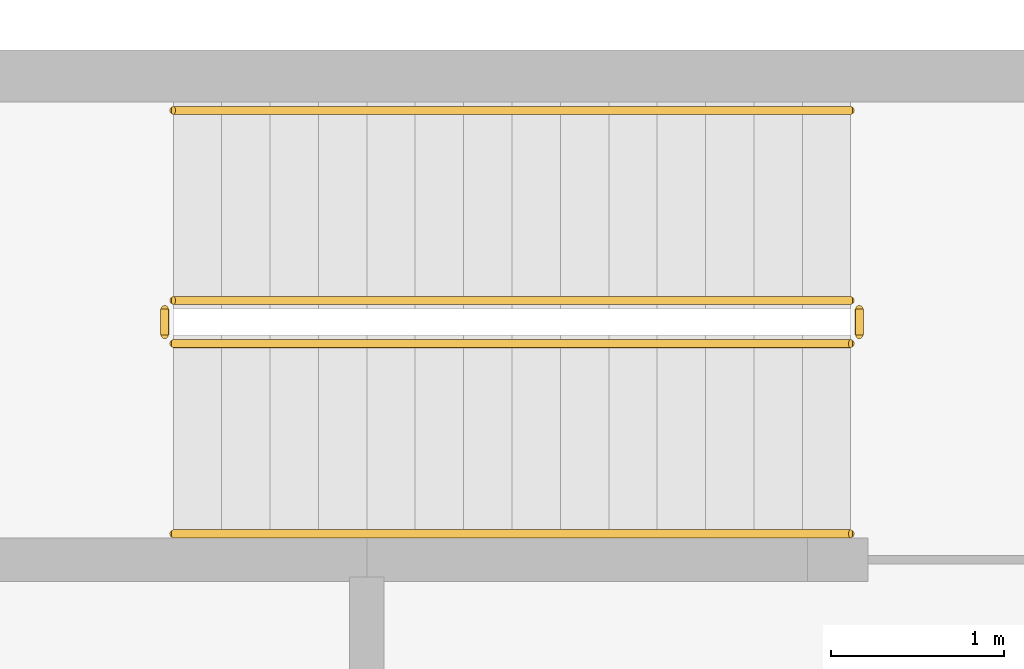
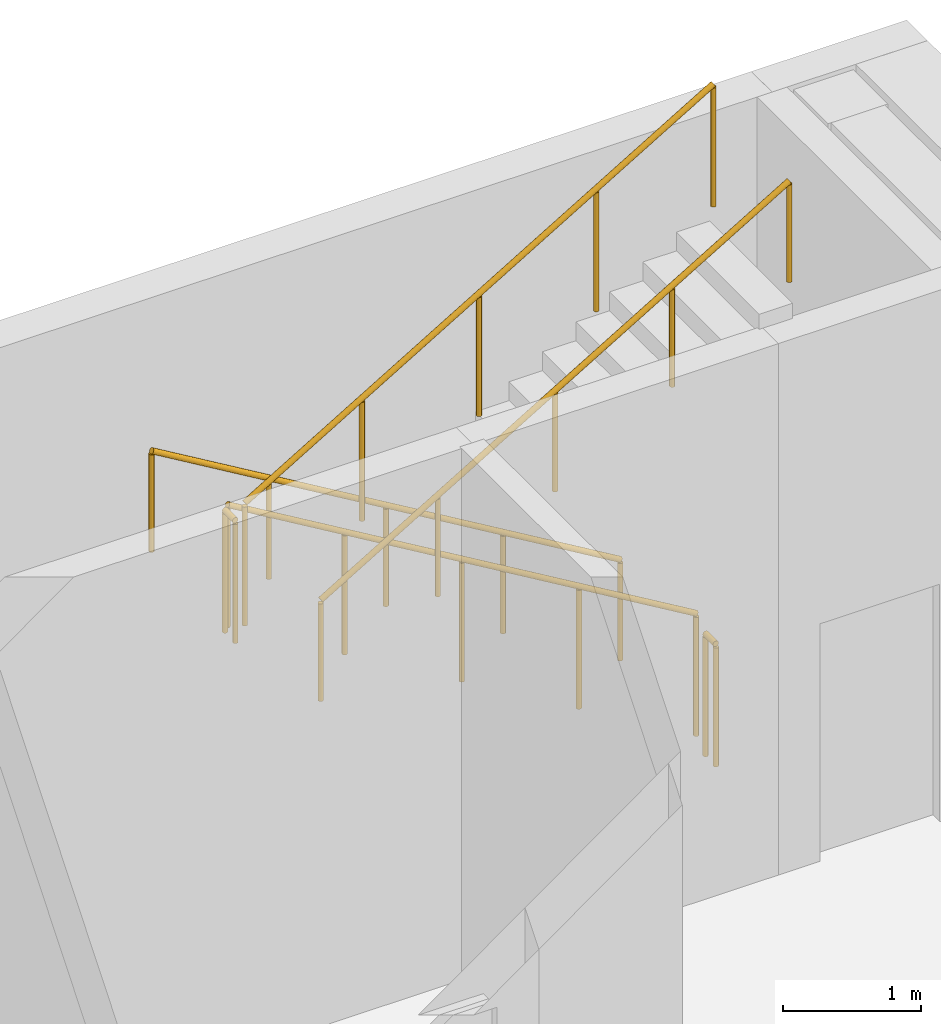
# One storey, part 23 of 24: 6 railings.
"""IFC4 building model written with IfcOpenShell, lengths in metres."""

from ifc_helpers import new_model, si_unit, direction, frame, origin, origin_2d, place, context, subcontext, project, spatial, circle, extrude, material, type_object, element, save


model = new_model("IFC4")

# Units and contexts
model_context = context("Model", 3, precision=1e-05, world=origin(), true_north=direction((0.0, 1.0)))
body_context = subcontext(model_context, "Body", "Model", "MODEL_VIEW")
ifc_project = project(units=[si_unit("LENGTHUNIT", "METRE"), si_unit("AREAUNIT", "SQUARE_METRE"), si_unit("VOLUMEUNIT", "CUBIC_METRE"), si_unit("PLANEANGLEUNIT", "RADIAN"), si_unit("MASSUNIT", "GRAM", prefix="KILO")], contexts=[model_context])

# Site, building, storey
site_placement = place(None, origin())
site = spatial("IfcSite", under=ifc_project, at=site_placement, CompositionType="ELEMENT")
building_placement = place(site_placement, origin())
building = spatial("IfcBuilding", under=site, at=building_placement, Name="Girih Gate Residences", CompositionType="ELEMENT")
storey_placement = place(building_placement, frame((0.0, 0.0, 16.0)))
storey = spatial("IfcBuildingStorey", under=building, at=storey_placement, Name="L03", CompositionType="ELEMENT", Elevation=16.0)

# Railings
ifc_material = material(Name="Stainless steel railing", Category="steel")
railing_type_1 = type_object("IfcRailingType", Name="HC Guard 1100", PredefinedType="GUARDRAIL", material=ifc_material)
railing_1_placement = place(storey_placement, frame((87.75, 43.550048828125, 0.166748046875)))
element("IfcRailing", 1, at=railing_1_placement, inside=storey, type_object=railing_type_1, Name="L03 HC-STB stair guard 1", PredefinedType="GUARDRAIL", context=body_context, shape_type="SweptSolid", body=[
    extrude(circle(Radius=0.02392578125, at=origin_2d()), frame((0.0, 0.0, 1.076171875), z_axis=(-0.859296244711, 0.0, 0.511478214419), x_axis=(0.0, -1.0, 0.0)), (0.0, 0.0, 1.0), 4.561767578125),
    extrude(circle(Radius=0.02099609375, at=origin_2d()), origin(), (0.0, 0.0, 1.0), 1.052001953125),
    extrude(circle(Radius=0.02099609375, at=origin_2d()), frame((-0.97998046875, 0.0, 0.583251953125)), (0.0, 0.0, 1.0), 1.052001953125),
    extrude(circle(Radius=0.02099609375, at=origin_2d()), frame((-1.9599609375, 0.0, 1.16650390625)), (0.0, 0.0, 1.0), 1.052001953125),
    extrude(circle(Radius=0.02099609375, at=origin_2d()), frame((-2.93994140625, 0.0, 1.75)), (0.0, 0.0, 1.0), 1.052001953125),
    extrude(circle(Radius=0.02099609375, at=origin_2d()), frame((-3.919921875, 0.0, 2.333251953125)), (0.0, 0.0, 1.0), 1.052001953125),
])
railing_2_placement = place(storey_placement, frame((83.780029296875, 43.5, 2.5)))
element("IfcRailing", 2, at=railing_2_placement, inside=storey, type_object=railing_type_1, Name="L03 HC-STB stair guard 2", PredefinedType="GUARDRAIL", context=body_context, shape_type="SweptSolid", body=[
    extrude(circle(Radius=0.02392578125, at=origin_2d()), frame((0.0, 0.0, 1.076171875), z_axis=(0.0, -1.0, 0.0), x_axis=(1.0, 0.0, 0.0)), (0.0, 0.0, 1.0), 0.14990234375),
    extrude(circle(Radius=0.02099609375, at=origin_2d()), origin(), (0.0, 0.0, 1.0), 1.052001953125),
    extrude(circle(Radius=0.02099609375, at=origin_2d()), frame((0.0, -0.14990234375, 0.0)), (0.0, 0.0, 1.0), 1.052001953125),
])
railing_3_placement = place(storey_placement, frame((83.830078125, 43.300048828125, 2.666748046875)))
element("IfcRailing", 3, at=railing_3_placement, inside=storey, type_object=railing_type_1, Name="L03 HC-STB stair guard 3", PredefinedType="GUARDRAIL", context=body_context, shape_type="SweptSolid", body=[
    extrude(circle(Radius=0.02392578125, at=origin_2d()), frame((0.0, 0.0, 1.076171875), z_axis=(0.859296244711, 0.0, 0.511478214419), x_axis=(0.0, 1.0, 0.0)), (0.0, 0.0, 1.0), 4.561767578125),
    extrude(circle(Radius=0.02099609375, at=origin_2d()), origin(), (0.0, 0.0, 1.0), 1.052001953125),
    extrude(circle(Radius=0.02099609375, at=origin_2d()), frame((0.97998046875, 0.0, 0.583251953125)), (0.0, 0.0, 1.0), 1.052001953125),
    extrude(circle(Radius=0.02099609375, at=origin_2d()), frame((1.9599609375, 0.0, 1.16650390625)), (0.0, 0.0, 1.0), 1.052001953125),
    extrude(circle(Radius=0.02099609375, at=origin_2d()), frame((2.93994140625, 0.0, 1.75)), (0.0, 0.0, 1.0), 1.052001953125),
    extrude(circle(Radius=0.02099609375, at=origin_2d()), frame((3.919921875, 0.0, 2.333251953125)), (0.0, 0.0, 1.0), 1.052001953125),
])
railing_4_placement = place(storey_placement, frame((87.800048828125, 43.5, 0.0)))
element("IfcRailing", 4, at=railing_4_placement, inside=storey, type_object=railing_type_1, Name="L03 HC-STB stair guard 4", PredefinedType="GUARDRAIL", context=body_context, shape_type="SweptSolid", body=[
    extrude(circle(Radius=0.02392578125, at=origin_2d()), frame((0.0, 0.0, 1.076171875), z_axis=(0.0, -1.0, 0.0), x_axis=(1.0, 0.0, 0.0)), (0.0, 0.0, 1.0), 0.14990234375),
    extrude(circle(Radius=0.02099609375, at=origin_2d()), origin(), (0.0, 0.0, 1.0), 1.052001953125),
    extrude(circle(Radius=0.02099609375, at=origin_2d()), frame((0.0, -0.14990234375, 0.0)), (0.0, 0.0, 1.0), 1.052001953125),
])
railing_type_2 = type_object("IfcRailingType", Name="HC Handrail 900", PredefinedType="HANDRAIL", material=ifc_material)
railing_5_placement = place(storey_placement, frame((87.75, 44.64990234375, 0.166748046875)))
element("IfcRailing", 5, at=railing_5_placement, inside=storey, type_object=railing_type_2, Name="L03 HC-STB stair handrail 1", PredefinedType="HANDRAIL", context=body_context, shape_type="SweptSolid", body=[
    extrude(circle(Radius=0.02392578125, at=origin_2d()), frame((0.0, 0.0, 0.8857421875), z_axis=(-0.859296244711, 0.0, 0.511478214419), x_axis=(0.0, -1.0, 0.0)), (0.0, 0.0, 1.0), 4.561767578125),
    extrude(circle(Radius=0.02099609375, at=origin_2d()), origin(), (0.0, 0.0, 1.0), 0.86181640625),
    extrude(circle(Radius=0.02099609375, at=origin_2d()), frame((-0.97998046875, 0.0, 0.583251953125)), (0.0, 0.0, 1.0), 0.86181640625),
    extrude(circle(Radius=0.02099609375, at=origin_2d()), frame((-1.9599609375, 0.0, 1.16650390625)), (0.0, 0.0, 1.0), 0.86181640625),
    extrude(circle(Radius=0.02099609375, at=origin_2d()), frame((-2.93994140625, 0.0, 1.75)), (0.0, 0.0, 1.0), 0.86181640625),
    extrude(circle(Radius=0.02099609375, at=origin_2d()), frame((-3.919921875, 0.0, 2.333251953125)), (0.0, 0.0, 1.0), 0.86181640625),
])
railing_6_placement = place(storey_placement, frame((83.830078125, 42.199951171875, 2.666748046875)))
element("IfcRailing", 6, at=railing_6_placement, inside=storey, type_object=railing_type_2, Name="L03 HC-STB stair handrail 2", PredefinedType="HANDRAIL", context=body_context, shape_type="SweptSolid", body=[
    extrude(circle(Radius=0.02392578125, at=origin_2d()), frame((0.0, 0.0, 0.8857421875), z_axis=(0.859296244711, 0.0, 0.511478214419), x_axis=(0.0, 1.0, 0.0)), (0.0, 0.0, 1.0), 4.561767578125),
    extrude(circle(Radius=0.02099609375, at=origin_2d()), origin(), (0.0, 0.0, 1.0), 0.86181640625),
    extrude(circle(Radius=0.02099609375, at=origin_2d()), frame((0.97998046875, 0.0, 0.583251953125)), (0.0, 0.0, 1.0), 0.86181640625),
    extrude(circle(Radius=0.02099609375, at=origin_2d()), frame((1.9599609375, 0.0, 1.16650390625)), (0.0, 0.0, 1.0), 0.86181640625),
    extrude(circle(Radius=0.02099609375, at=origin_2d()), frame((2.93994140625, 0.0, 1.75)), (0.0, 0.0, 1.0), 0.86181640625),
    extrude(circle(Radius=0.02099609375, at=origin_2d()), frame((3.919921875, 0.0, 2.333251953125)), (0.0, 0.0, 1.0), 0.86181640625),
])

save(model, "model.ifc")
